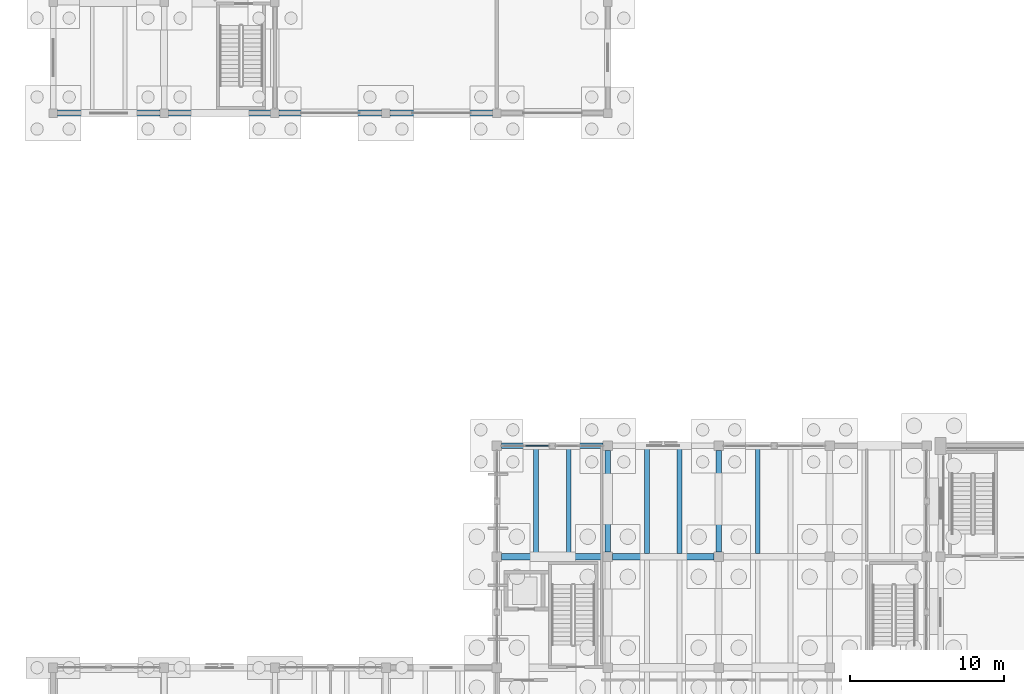
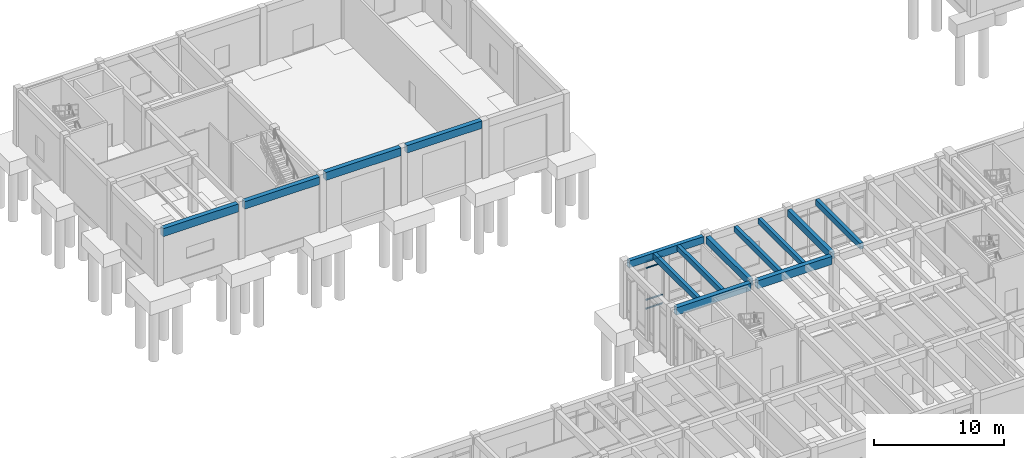
# One storey, part 28 of 93: 14 beams, 4 members, 1 element without a shape of its own.
"""IFC4 building model written with IfcOpenShell, lengths in metres."""

from ifc_helpers import new_model, si_unit, direction, frame, origin, origin_2d, place, context, subcontext, project, spatial, rectangle, extrude, material, layer, layer_set, material_profile, profile_set, type_object, element, aggregate, save


model = new_model("IFC4")

# Units and contexts
model_context = context("Model", 3, precision=1e-05, world=origin(), true_north=direction((0.0, 1.0)))
body_context = subcontext(model_context, "Body", "Model", "MODEL_VIEW")
ifc_project = project(units=[si_unit("LENGTHUNIT", "METRE"), si_unit("AREAUNIT", "SQUARE_METRE"), si_unit("VOLUMEUNIT", "CUBIC_METRE"), si_unit("PLANEANGLEUNIT", "RADIAN"), si_unit("MASSUNIT", "GRAM", prefix="KILO")], contexts=[model_context])

# Site, building, storey
site_placement = place(None, origin())
site = spatial("IfcSite", under=ifc_project, at=site_placement, CompositionType="ELEMENT")
building_placement = place(site_placement, origin())
building = spatial("IfcBuilding", under=site, at=building_placement, Name="Koriwan Promenade Central Fire Station", CompositionType="ELEMENT")
storey_placement = place(building_placement, origin())
storey = spatial("IfcBuildingStorey", under=building, at=storey_placement, Name="L00", CompositionType="ELEMENT", Elevation=0.0)

# Beams
ifc_material_1 = material(Name="Concrete C35/45", Category="concrete")
ifc_material_profile_1 = material_profile(ifc_material_1, rectangle(XDim=0.300048828125, YDim=0.5, at=origin_2d()), Name="RC-BM-300x500")
ifc_profile_set_1 = profile_set([ifc_material_profile_1], Name="Concrete C35/45")
beam_type_1 = type_object("IfcBeamType", Name="Beam_RC-BM-300x500", PredefinedType="JOIST", material=ifc_profile_set_1)
for number, where, z_axis, x_axis, name in (
    (1, (33.4560546875, 65.0, 4.89990234375), (0.0, 1.0, 0.0), (-1.0, 0.0, 0.0), "V4 L00 secondary joist 407"),
    (2, (40.656005859375, 65.0, 4.89990234375), (0.0, 1.0, 0.0), (-1.0, 0.0, 0.0), "V4 L00 secondary joist 409"),
):
    element("IfcBeam", number, at=place(storey_placement, frame(where, z_axis=z_axis, x_axis=x_axis)), inside=storey, type_object=beam_type_1, Name=name, PredefinedType="JOIST", context=body_context, shape_type="SweptSolid", body=[
        extrude(rectangle(XDim=0.300048828125, YDim=0.5, at=origin_2d()), origin(), (0.0, 0.0, 1.0), 6.824951171875),
    ])
ifc_material_profile_2 = material_profile(ifc_material_1, rectangle(XDim=0.300048828125, YDim=0.550048828125, at=origin_2d()), Name="RC-BM-300x550")
ifc_profile_set_2 = profile_set([ifc_material_profile_2], Name="Concrete C35/45")
beam_type_2 = type_object("IfcBeamType", Name="Beam_RC-BM-300x550", PredefinedType="JOIST", material=ifc_profile_set_2)
for number, where, z_axis, x_axis, name in (
    (3, (31.343994140625, 65.0, 4.875), (0.0, 1.0, 0.0), (-1.0, 0.0, 0.0), "V4 L00 secondary joist 406"),
    (4, (38.5439453125, 65.0, 4.875), (0.0, 1.0, 0.0), (-1.0, 0.0, 0.0), "V4 L00 secondary joist 408"),
    (5, (45.743896484375, 65.0, 4.875), (0.0, 1.0, 0.0), (-1.0, 0.0, 0.0), "V4 L00 secondary joist 410"),
):
    element("IfcBeam", number, at=place(storey_placement, frame(where, z_axis=z_axis, x_axis=x_axis)), inside=storey, type_object=beam_type_2, Name=name, PredefinedType="JOIST", context=body_context, shape_type="SweptSolid", body=[
        extrude(rectangle(XDim=0.300048828125, YDim=0.550048828125, at=origin_2d()), origin(), (0.0, 0.0, 1.0), 6.824951171875),
    ])
ifc_material_profile_3 = material_profile(ifc_material_1, rectangle(XDim=0.35009765625, YDim=0.64990234375, at=origin_2d()), Name="RC-BM-350x650")
ifc_profile_set_3 = profile_set([ifc_material_profile_3], Name="Concrete C35/45")
beam_type_3 = type_object("IfcBeamType", Name="Beam_RC-BM-350x650", PredefinedType="BEAM", material=ifc_profile_set_3)
for number, where, z_axis, x_axis, name in (
    (6, (36.0, 65.10009765625, 4.824951171875), (0.0, 1.0, 0.0), (-1.0, 0.0, 0.0), "V4 L00 girder Y-369"),
    (7, (43.199951171875, 65.10009765625, 4.824951171875), (0.0, 1.0, 0.0), (-1.0, 0.0, 0.0), "V4 L00 girder Y-373"),
):
    element("IfcBeam", number, at=place(storey_placement, frame(where, z_axis=z_axis, x_axis=x_axis)), inside=storey, type_object=beam_type_3, Name=name, PredefinedType="BEAM", context=body_context, shape_type="SweptSolid", body=[
        extrude(rectangle(XDim=0.35009765625, YDim=0.64990234375, at=origin_2d()), origin(), (0.0, 0.0, 1.0), 6.599853515625),
    ])
ifc_material_profile_4 = material_profile(ifc_material_1, rectangle(XDim=0.39990234375, YDim=0.699951171875, at=origin_2d()), Name="RC-BM-400x700")
ifc_profile_set_4 = profile_set([ifc_material_profile_4], Name="Concrete C35/45")
beam_type_4 = type_object("IfcBeamType", Name="Beam_RC-BM-400x700", PredefinedType="BEAM", material=ifc_profile_set_4)
beam_1_placement = place(storey_placement, frame((29.10009765625, 64.800048828125, 4.800048828125), z_axis=(1.0, 0.0, 0.0), x_axis=(0.0, 1.0, 0.0)))
element("IfcBeam", 8, at=beam_1_placement, inside=storey, type_object=beam_type_4, Name="V4 L00 girder X-346", PredefinedType="BEAM", context=body_context, shape_type="SweptSolid", body=[
    extrude(rectangle(XDim=0.39990234375, YDim=0.699951171875, at=origin_2d()), origin(), (0.0, 0.0, 1.0), 6.599853515625),
])
for number, where, z_axis, x_axis, name in (
    (9, (7.47509765625, 93.60009765625, 4.830078125), (1.0, 0.0, 0.0), (0.0, 1.0, 0.0), "V6 L00 girder X-1018"),
    (10, (21.875, 93.60009765625, 5.050048828125), (1.0, 0.0, 0.0), (0.0, 1.0, 0.0), "V6 L00 girder X-1020"),
):
    element("IfcBeam", number, at=place(storey_placement, frame(where, z_axis=z_axis, x_axis=x_axis)), inside=storey, type_object=beam_type_4, Name=name, PredefinedType="BEAM", context=body_context, shape_type="SweptSolid", body=[
        extrude(rectangle(XDim=0.39990234375, YDim=0.699951171875, at=origin_2d()), origin(), (0.0, 0.0, 1.0), 6.64990234375),
    ])
ifc_material_profile_5 = material_profile(ifc_material_1, rectangle(XDim=0.39990234375, YDim=0.75, at=origin_2d()), Name="RC-BM-400x750")
ifc_profile_set_5 = profile_set([ifc_material_profile_5], Name="Concrete C35/45")
beam_type_5 = type_object("IfcBeamType", Name="Beam_RC-BM-400x750", PredefinedType="BEAM", material=ifc_profile_set_5)
beam_2_placement = place(storey_placement, frame((36.300048828125, 64.800048828125, 4.77490234375), z_axis=(1.0, 0.0, 0.0), x_axis=(0.0, 1.0, 0.0)))
element("IfcBeam", 11, at=beam_2_placement, inside=storey, type_object=beam_type_5, Name="V4 L00 girder X-347", PredefinedType="BEAM", context=body_context, shape_type="SweptSolid", body=[
    extrude(rectangle(XDim=0.39990234375, YDim=0.75, at=origin_2d()), origin(), (0.0, 0.0, 1.0), 6.599853515625),
])
beam_3_placement = place(storey_placement, frame((0.27490234375, 93.60009765625, 4.804931640625), z_axis=(1.0, 0.0, 0.0), x_axis=(0.0, 1.0, 0.0)))
element("IfcBeam", 12, at=beam_3_placement, inside=storey, type_object=beam_type_5, Name="V6 L00 girder X-1017", PredefinedType="BEAM", context=body_context, shape_type="SweptSolid", body=[
    extrude(rectangle(XDim=0.39990234375, YDim=0.75, at=origin_2d()), origin(), (0.0, 0.0, 1.0), 6.650146484375),
])
beam_4_placement = place(storey_placement, frame((14.675048828125, 93.60009765625, 5.02490234375), z_axis=(1.0, 0.0, 0.0), x_axis=(0.0, 1.0, 0.0)))
element("IfcBeam", 13, at=beam_4_placement, inside=storey, type_object=beam_type_5, Name="V6 L00 girder X-1019", PredefinedType="BEAM", context=body_context, shape_type="SweptSolid", body=[
    extrude(rectangle(XDim=0.39990234375, YDim=0.75, at=origin_2d()), origin(), (0.0, 0.0, 1.0), 6.64990234375),
])
ifc_material_profile_6 = material_profile(ifc_material_1, rectangle(XDim=0.35009765625, YDim=0.64990234375, at=origin_2d()), Name="RC-SP-350x650")
ifc_profile_set_6 = profile_set([ifc_material_profile_6], Name="Concrete C35/45")
beam_type_6 = type_object("IfcBeamType", Name="Beam_RC-SP-350x650", PredefinedType="SPANDREL", material=ifc_profile_set_6)
beam_5_placement = place(storey_placement, frame((29.10009765625, 72.0, 4.824951171875), z_axis=(1.0, 0.0, 0.0), x_axis=(0.0, 1.0, 0.0)))
element("IfcBeam", 14, at=beam_5_placement, inside=storey, type_object=beam_type_6, Name="V4 L00 girder X-350", PredefinedType="SPANDREL", context=body_context, shape_type="SweptSolid", body=[
    extrude(rectangle(XDim=0.35009765625, YDim=0.64990234375, at=origin_2d()), origin(), (0.0, 0.0, 1.0), 6.599853515625),
])

# Curtain wall, members
ifc_material_2 = material(Name="Aluminium EN AW-6063-T6 and low-E glazing", Category="aluminium")
ifc_layer = layer(ifc_material_2, 0.159912109375, Name="Aluminium EN AW-6063-T6 and low-E glazing")
ifc_layer_set = layer_set([ifc_layer], Name="Aluminium EN AW-6063-T6 and low-E glazing")
curtain_wall_type = type_object("IfcCurtainWallType", Name="CurtainWall_24_310x449", PredefinedType="USERDEFINED", material=ifc_layer_set)
curtain_wall_placement = place(storey_placement, origin())
curtain_wall = element("IfcCurtainWall", 15, at=curtain_wall_placement, inside=storey, type_object=curtain_wall_type, Name="V4 L00 unitised curtain wall 091", ObjectType="UNITISED CURTAIN WALL", PredefinedType="USERDEFINED")
ifc_material_3 = material(Name="Aluminium EN AW-6063-T6", Category="aluminium")
ifc_material_profile_7 = material_profile(ifc_material_3, rectangle(XDim=0.06494140625, YDim=0.1201171875, at=origin_2d()), Name="ALU-TRN-65x120")
ifc_profile_set_7 = profile_set([ifc_material_profile_7], Name="Aluminium EN AW-6063-T6")
member_type = type_object("IfcMemberType", Name="CWTransom_ALU-TRN-65x120", PredefinedType="USERDEFINED", material=ifc_profile_set_7)
member_1_placement = place(storey_placement, frame((30.6826171875, 72.0, 0.032470703125), z_axis=(1.0, 0.0, 0.0), x_axis=(0.0, 1.0, 0.0)))
member_1 = element("IfcMember", 16, at=member_1_placement, type_object=member_type, Name="CW-24 transom 2.1", ObjectType="TRANSOM", PredefinedType="USERDEFINED", context=body_context, shape_type="SweptSolid", body=[
    extrude(rectangle(XDim=0.06494140625, YDim=0.1201171875, at=origin_2d()), origin(), (0.0, 0.0, 1.0), 1.452392578125),
])
member_2_placement = place(storey_placement, frame((30.6826171875, 72.0, 0.85009765625), z_axis=(1.0, 0.0, 0.0), x_axis=(0.0, 1.0, 0.0)))
member_2 = element("IfcMember", 17, at=member_2_placement, type_object=member_type, Name="CW-24 transom 2.2", ObjectType="TRANSOM", PredefinedType="USERDEFINED", context=body_context, shape_type="SweptSolid", body=[
    extrude(rectangle(XDim=0.06494140625, YDim=0.1201171875, at=origin_2d()), origin(), (0.0, 0.0, 1.0), 1.452392578125),
])
member_3_placement = place(storey_placement, frame((30.6826171875, 72.0, 3.840087890625), z_axis=(1.0, 0.0, 0.0), x_axis=(0.0, 1.0, 0.0)))
member_3 = element("IfcMember", 18, at=member_3_placement, type_object=member_type, Name="CW-24 transom 2.3", ObjectType="TRANSOM", PredefinedType="USERDEFINED", context=body_context, shape_type="SweptSolid", body=[
    extrude(rectangle(XDim=0.06494140625, YDim=0.1201171875, at=origin_2d()), origin(), (0.0, 0.0, 1.0), 1.452392578125),
])
member_4_placement = place(storey_placement, frame((30.6826171875, 72.0, 4.45751953125), z_axis=(1.0, 0.0, 0.0), x_axis=(0.0, 1.0, 0.0)))
member_4 = element("IfcMember", 19, at=member_4_placement, type_object=member_type, Name="CW-24 transom 2.4", ObjectType="TRANSOM", PredefinedType="USERDEFINED", context=body_context, shape_type="SweptSolid", body=[
    extrude(rectangle(XDim=0.06494140625, YDim=0.1201171875, at=origin_2d()), origin(), (0.0, 0.0, 1.0), 1.452392578125),
])
aggregate(curtain_wall, [member_1, member_2, member_3, member_4])

save(model, "model.ifc")
